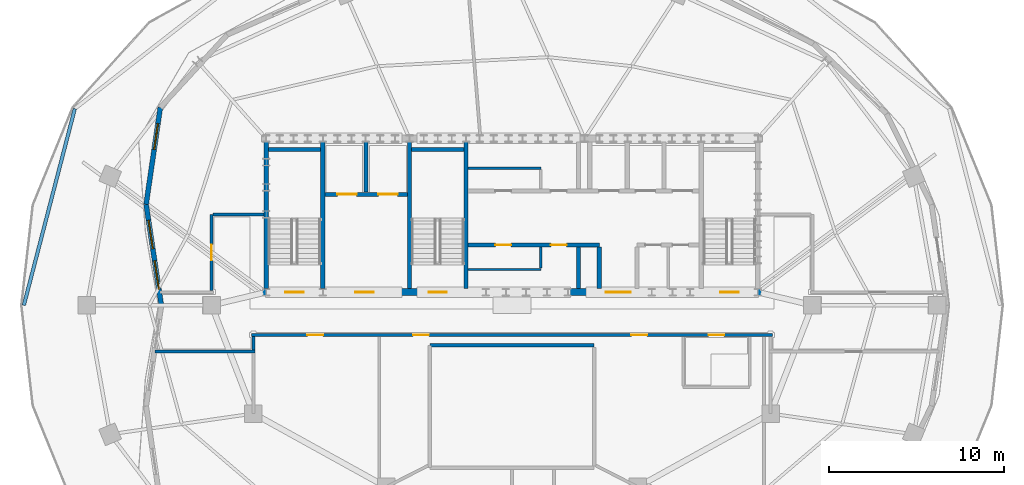
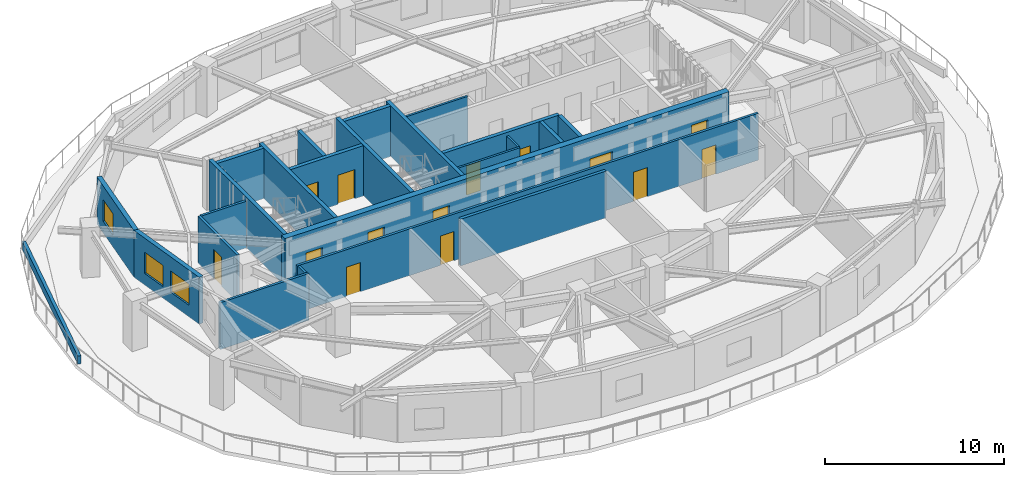
# One storey, part 4 of 10: 24 walls, 14 doors, 3 windows, 17 openings.
"""IFC4 building model written with IfcOpenShell, lengths in metres."""

from ifc_helpers import new_model, si_unit, direction, frame, frame_2d, origin, place, context, subcontext, project, spatial, rectangle, extrude, material, layer, layer_set, type_object, element, fill, save


model = new_model("IFC4")

# Units and contexts
model_context = context("Model", 3, precision=1e-05, world=origin(), true_north=direction((0.0, 1.0)))
body_context = subcontext(model_context, "Body", "Model", "MODEL_VIEW")
ifc_project = project(units=[si_unit("LENGTHUNIT", "METRE"), si_unit("AREAUNIT", "SQUARE_METRE"), si_unit("VOLUMEUNIT", "CUBIC_METRE"), si_unit("PLANEANGLEUNIT", "RADIAN"), si_unit("MASSUNIT", "GRAM", prefix="KILO")], contexts=[model_context])

# Site, building, storey
site_placement = place(None, origin())
site = spatial("IfcSite", under=ifc_project, at=site_placement, CompositionType="ELEMENT")
building_placement = place(site_placement, origin())
building = spatial("IfcBuilding", under=site, at=building_placement, Name="Haldorwick Loom Tower", CompositionType="ELEMENT")
storey_placement = place(building_placement, frame((0.0, 0.0, 240.89990234375)))
storey = spatial("IfcBuildingStorey", under=building, at=storey_placement, Name="L65", CompositionType="ELEMENT", Elevation=240.89990234375)

# Wall, opening, window
ifc_material_1 = material(Name="Pressed Clay Face Brick and Insulated Masonry Backup Assembly", Category="masonry")
ifc_layer_1 = layer(ifc_material_1, 0.280029296875, Name="Pressed Clay Face Brick and Insulated Masonry Backup Assembly", Category="masonry")
ifc_layer_set_1 = layer_set([ifc_layer_1], Name="Pressed Clay Face Brick and Insulated Masonry Backup Assembly")
wall_type_1 = type_object("IfcWallType", Name="ARC-WL-EXT280", PredefinedType="STANDARD", material=ifc_layer_set_1)
wall_1_placement = place(storey_placement, frame((15.86669921875, 37.326904296875, 0.0), z_axis=(0.0, 0.0, 1.0), x_axis=(-0.144901068492, -0.989446148282, 0.0)))
wall_1 = element("IfcWall", 1, at=wall_1_placement, inside=storey, type_object=wall_type_1, Name="L65 Brick Pier and Spandrel Wall 11", PredefinedType="STANDARD", context=body_context, shape_type="SweptSolid", body=[
    extrude(rectangle(XDim=5.607177734375, YDim=0.280029296875, at=frame_2d((2.8037109375, 0.0))), origin(), (0.0, 0.0, 1.0), 3.210205078125),
])
opening_1_placement = place(wall_1_placement, frame((0.93212890625, 0.0, 0.800048828125)))
opening_1 = element("IfcOpeningElement", 2, at=opening_1_placement, cuts=wall_1, Name="Opening W-02", PredefinedType="OPENING", context=body_context, shape_type="SweptSolid", body=[
    extrude(rectangle(XDim=1.5, YDim=1.47998046875, at=frame_2d((0.75, 0.739990234375))), frame((0.0, 0.14990234375, 0.0), z_axis=(0.0, -1.0, 0.0), x_axis=(1.0, 0.0, 0.0)), (0.0, 0.0, 1.0), 0.300048828125),
])
ifc_material_2 = material(Name="Triple-Glazed Low-E Argon Insulated Glazing Unit", Category="glass")
window_type_1 = type_object("IfcWindowType", Name="ARC-WIN-W150", PartitioningType="SINGLE_PANEL", PredefinedType="WINDOW", material=ifc_material_2)
window_1_placement = place(opening_1_placement, origin())
window_1 = element("IfcWindow", 3, at=window_1_placement, inside=storey, type_object=window_type_1, Name="L65 Deep-Set Zone 7A Window 11", OverallHeight=1.47998046875, OverallWidth=1.5, PartitioningType="SINGLE_PANEL", PredefinedType="WINDOW", context=body_context, shape_type="SweptSolid", body=[
    extrude(rectangle(XDim=1.5, YDim=1.47998046875, at=frame_2d((0.75, 0.739990234375))), frame((0.0, 0.030029296875, 0.0), z_axis=(0.0, -1.0, 0.0), x_axis=(1.0, 0.0, 0.0)), (0.0, 0.0, 1.0), 0.06005859375),
])
fill(opening_1, window_1)

# Wall, openings, windows
wall_2_placement = place(storey_placement, frame((15.05419921875, 31.77880859375, 0.0), z_axis=(0.0, 0.0, 1.0), x_axis=(0.148687742187, -0.988884197125, 0.0)))
wall_2 = element("IfcWall", 4, at=wall_2_placement, inside=storey, type_object=wall_type_1, Name="L65 Brick Pier and Spandrel Wall 12", PredefinedType="STANDARD", context=body_context, shape_type="SweptSolid", body=[
    extrude(rectangle(XDim=5.84375, YDim=0.280029296875, at=frame_2d((2.921875, 0.0))), origin(), (0.0, 0.0, 1.0), 3.210205078125),
])
opening_2_placement = place(wall_2_placement, frame((0.92822265625, 0.0, 0.800048828125)))
opening_2 = element("IfcOpeningElement", 5, at=opening_2_placement, cuts=wall_2, Name="Opening W-01B", PredefinedType="OPENING", context=body_context, shape_type="SweptSolid", body=[
    extrude(rectangle(XDim=1.64990234375, YDim=1.449951171875, at=frame_2d((0.824951171875, 0.72509765625))), frame((0.0, 0.14990234375, 0.0), z_axis=(0.0, -1.0, 0.0), x_axis=(1.0, 0.0, 0.0)), (0.0, 0.0, 1.0), 0.300048828125),
])
opening_3_placement = place(wall_2_placement, frame((3.265625, 0.0, 0.800048828125)))
opening_3 = element("IfcOpeningElement", 6, at=opening_3_placement, cuts=wall_2, Name="Opening W-01B", PredefinedType="OPENING", context=body_context, shape_type="SweptSolid", body=[
    extrude(rectangle(XDim=1.64990234375, YDim=1.449951171875, at=frame_2d((0.824951171875, 0.72509765625))), frame((0.0, 0.14990234375, 0.0), z_axis=(0.0, -1.0, 0.0), x_axis=(1.0, 0.0, 0.0)), (0.0, 0.0, 1.0), 0.300048828125),
])
window_type_2 = type_object("IfcWindowType", Name="ARC-WIN-W165", PartitioningType="SINGLE_PANEL", PredefinedType="WINDOW", material=ifc_material_2)
window_2_placement = place(opening_2_placement, origin())
window_2 = element("IfcWindow", 7, at=window_2_placement, inside=storey, type_object=window_type_2, Name="L65 Deep-Set Zone 7A Window 12", OverallHeight=1.449951171875, OverallWidth=1.64990234375, PartitioningType="SINGLE_PANEL", PredefinedType="WINDOW", context=body_context, shape_type="SweptSolid", body=[
    extrude(rectangle(XDim=1.64990234375, YDim=1.449951171875, at=frame_2d((0.824951171875, 0.72509765625))), frame((0.0, 0.030029296875, 0.0), z_axis=(0.0, -1.0, 0.0), x_axis=(1.0, 0.0, 0.0)), (0.0, 0.0, 1.0), 0.06005859375),
])
fill(opening_2, window_2)
window_3_placement = place(opening_3_placement, origin())
window_3 = element("IfcWindow", 8, at=window_3_placement, inside=storey, type_object=window_type_2, Name="L65 Deep-Set Zone 7A Window 12", OverallHeight=1.449951171875, OverallWidth=1.64990234375, PartitioningType="SINGLE_PANEL", PredefinedType="WINDOW", context=body_context, shape_type="SweptSolid", body=[
    extrude(rectangle(XDim=1.64990234375, YDim=1.449951171875, at=frame_2d((0.824951171875, 0.72509765625))), frame((0.0, 0.030029296875, 0.0), z_axis=(0.0, -1.0, 0.0), x_axis=(1.0, 0.0, 0.0)), (0.0, 0.0, 1.0), 0.06005859375),
])
fill(opening_3, window_3)

# Wall, openings, doors
ifc_material_3 = material(Name="Fire-Rated Type X Gypsum Stud Assembly EI 60")
ifc_layer_2 = layer(ifc_material_3, 0.159912109375, Name="Fire-Rated Type X Gypsum Stud Assembly EI 60")
ifc_layer_set_2 = layer_set([ifc_layer_2], Name="Fire-Rated Type X Gypsum Stud Assembly EI 60")
wall_type_2 = type_object("IfcWallType", Name="ARC-WL-FIRE160", PredefinedType="PARTITIONING", material=ifc_layer_set_2)
wall_3_placement = place(storey_placement, frame((21.10009765625, 24.300048828125, 0.0), z_axis=(0.0, 0.0, 1.0), x_axis=(1.0, 0.0, 0.0)))
wall_3 = element("IfcWall", 9, at=wall_3_placement, inside=storey, type_object=wall_type_2, Name="L65 Residential Fire Partition L65-CR-SP", PredefinedType="PARTITIONING", context=body_context, shape_type="SweptSolid", body=[
    extrude(rectangle(XDim=29.7998046875, YDim=0.159912109375, at=frame_2d((14.89990234375, 0.0))), origin(), (0.0, 0.0, 1.0), 3.195068359375),
])
opening_4_placement = place(wall_3_placement, frame((21.734375, 0.0, 0.0)))
opening_4 = element("IfcOpeningElement", 10, at=opening_4_placement, cuts=wall_3, Name="Opening D-FD60A", PredefinedType="OPENING", context=body_context, shape_type="SweptSolid", body=[
    extrude(rectangle(XDim=0.89990234375, YDim=2.0, at=frame_2d((0.449951171875, 1.0))), frame((0.0, 0.08984375, 0.0), z_axis=(0.0, -1.0, 0.0), x_axis=(1.0, 0.0, 0.0)), (0.0, 0.0, 1.0), 0.179931640625),
])
opening_5_placement = place(wall_3_placement, frame((9.240478515625, 0.0, 0.0)))
opening_5 = element("IfcOpeningElement", 11, at=opening_5_placement, cuts=wall_3, Name="Opening D-FD60A", PredefinedType="OPENING", context=body_context, shape_type="SweptSolid", body=[
    extrude(rectangle(XDim=0.89990234375, YDim=2.0, at=frame_2d((0.449951171875, 1.0))), frame((0.0, 0.08984375, 0.0), z_axis=(0.0, -1.0, 0.0), x_axis=(1.0, 0.0, 0.0)), (0.0, 0.0, 1.0), 0.179931640625),
])
opening_6_placement = place(wall_3_placement, frame((3.192138671875, 0.0, 0.0)))
opening_6 = element("IfcOpeningElement", 12, at=opening_6_placement, cuts=wall_3, Name="Opening D-FD60A", PredefinedType="OPENING", context=body_context, shape_type="SweptSolid", body=[
    extrude(rectangle(XDim=0.89990234375, YDim=2.0, at=frame_2d((0.449951171875, 1.0))), frame((0.0, 0.08984375, 0.0), z_axis=(0.0, -1.0, 0.0), x_axis=(1.0, 0.0, 0.0)), (0.0, 0.0, 1.0), 0.179931640625),
])
opening_7_placement = place(wall_3_placement, frame((26.1494140625, 0.0, 0.0)))
opening_7 = element("IfcOpeningElement", 13, at=opening_7_placement, cuts=wall_3, Name="Opening D-FD60A", PredefinedType="OPENING", context=body_context, shape_type="SweptSolid", body=[
    extrude(rectangle(XDim=0.89990234375, YDim=2.0, at=frame_2d((0.449951171875, 1.0))), frame((0.0, 0.08984375, 0.0), z_axis=(0.0, -1.0, 0.0), x_axis=(1.0, 0.0, 0.0)), (0.0, 0.0, 1.0), 0.179931640625),
])
ifc_material_4 = material(Name="Hollow Steel Fire Door Assembly", Category="steel")
door_type_1 = type_object("IfcDoorType", Name="ARC-DR-FD60-90", OperationType="NOTDEFINED", PredefinedType="DOOR", material=ifc_material_4)
door_1_placement = place(opening_4_placement, origin())
door_1 = element("IfcDoor", 14, at=door_1_placement, inside=storey, type_object=door_type_1, Name="L65 L65 Central Residential Corridor to Community Teaching Classroom 5 D", OperationType="SINGLE_SWING_LEFT", OverallHeight=2.0, OverallWidth=0.89990234375, PredefinedType="DOOR", context=body_context, shape_type="SweptSolid", body=[
    extrude(rectangle(XDim=0.89990234375, YDim=2.0, at=frame_2d((0.449951171875, 1.0))), frame((0.0, 0.02490234375, 0.0), z_axis=(0.0, -1.0, 0.0), x_axis=(1.0, 0.0, 0.0)), (0.0, 0.0, 1.0), 0.050048828125),
])
fill(opening_4, door_1)
door_2_placement = place(opening_5_placement, origin())
door_2 = element("IfcDoor", 15, at=door_2_placement, inside=storey, type_object=door_type_1, Name="L65 L65 Central Residential Corridor to Community Teaching Classroom 1 D", OperationType="SINGLE_SWING_RIGHT", OverallHeight=2.0, OverallWidth=0.89990234375, PredefinedType="DOOR", context=body_context, shape_type="SweptSolid", body=[
    extrude(rectangle(XDim=0.89990234375, YDim=2.0, at=frame_2d((0.449951171875, 1.0))), frame((0.0, 0.02490234375, 0.0), z_axis=(0.0, -1.0, 0.0), x_axis=(1.0, 0.0, 0.0)), (0.0, 0.0, 1.0), 0.050048828125),
])
fill(opening_5, door_2)
door_3_placement = place(opening_6_placement, origin())
door_3 = element("IfcDoor", 16, at=door_3_placement, inside=storey, type_object=door_type_1, Name="L65 L65 Central Residential Corridor to Community Teaching Classroom 2 D", OperationType="SINGLE_SWING_LEFT", OverallHeight=2.0, OverallWidth=0.89990234375, PredefinedType="DOOR", context=body_context, shape_type="SweptSolid", body=[
    extrude(rectangle(XDim=0.89990234375, YDim=2.0, at=frame_2d((0.449951171875, 1.0))), frame((0.0, 0.02490234375, 0.0), z_axis=(0.0, -1.0, 0.0), x_axis=(1.0, 0.0, 0.0)), (0.0, 0.0, 1.0), 0.050048828125),
])
fill(opening_6, door_3)
door_4_placement = place(opening_7_placement, origin())
door_4 = element("IfcDoor", 17, at=door_4_placement, inside=storey, type_object=door_type_1, Name="L65 L65 Central Residential Corridor to Common Accessible WC Door", OperationType="SINGLE_SWING_LEFT", OverallHeight=2.0, OverallWidth=0.89990234375, PredefinedType="DOOR", context=body_context, shape_type="SweptSolid", body=[
    extrude(rectangle(XDim=0.89990234375, YDim=2.0, at=frame_2d((0.449951171875, 1.0))), frame((0.0, 0.02490234375, 0.0), z_axis=(0.0, -1.0, 0.0), x_axis=(1.0, 0.0, 0.0)), (0.0, 0.0, 1.0), 0.050048828125),
])
fill(opening_7, door_4)

# Walls
wall_4_placement = place(storey_placement, frame((15.5703125, 23.35009765625, 0.0), z_axis=(0.0, 0.0, 1.0), x_axis=(1.0, 0.0, 0.0)))
element("IfcWall", 18, at=wall_4_placement, inside=storey, type_object=wall_type_2, Name="L65 Residential Fire Partition L65-CR-SPW", PredefinedType="PARTITIONING", context=body_context, shape_type="SweptSolid", body=[
    extrude(rectangle(XDim=5.729736328125, YDim=0.159912109375, at=frame_2d((2.86474609375, 0.0))), origin(), (0.0, 0.0, 1.0), 3.195068359375),
])
wall_5_placement = place(storey_placement, frame((21.199951171875, 23.43310546875, 0.0), z_axis=(0.0, 0.0, 1.0), x_axis=(0.0, 1.0, 0.0)))
element("IfcWall", 19, at=wall_5_placement, inside=storey, type_object=wall_type_2, Name="L65 Residential Fire Partition L65-CR-STW", PredefinedType="PARTITIONING", context=body_context, shape_type="SweptSolid", body=[
    extrude(rectangle(XDim=0.783935546875, YDim=0.159912109375, at=frame_2d((0.39208984375, 0.0))), origin(), (0.0, 0.0, 1.0), 3.195068359375),
])

# Wall, opening, door
wall_6_placement = place(storey_placement, frame((18.800048828125, 26.8330078125, 0.0), z_axis=(0.0, 0.0, 1.0), x_axis=(0.0, 1.0, 0.0)))
wall_6 = element("IfcWall", 20, at=wall_6_placement, inside=storey, type_object=wall_type_2, Name="L65 Residential Fire Partition L65-CR-W0", PredefinedType="PARTITIONING", context=body_context, shape_type="SweptSolid", body=[
    extrude(rectangle(XDim=4.366943359375, YDim=0.159912109375, at=frame_2d((2.18359375, 0.0))), origin(), (0.0, 0.0, 1.0), 3.195068359375),
])
opening_8_placement = place(wall_6_placement, frame((1.7333984375, 0.0, 0.0)))
opening_8 = element("IfcOpeningElement", 21, at=opening_8_placement, cuts=wall_6, Name="Opening D-FD60A", PredefinedType="OPENING", context=body_context, shape_type="SweptSolid", body=[
    extrude(rectangle(XDim=0.89990234375, YDim=2.0, at=frame_2d((0.449951171875, 1.0))), frame((0.0, 0.08984375, 0.0), z_axis=(0.0, -1.0, 0.0), x_axis=(1.0, 0.0, 0.0)), (0.0, 0.0, 1.0), 0.179931640625),
])
door_5_placement = place(opening_8_placement, frame((0.89990234375, 0.0, 0.0), z_axis=(0.0, 0.0, 1.0), x_axis=(-1.0, 0.0, 0.0)))
door_5 = element("IfcDoor", 22, at=door_5_placement, inside=storey, type_object=door_type_1, Name="L65 Community Teaching Classroom 4 to L65 Central Residential Corridor D", OperationType="SINGLE_SWING_RIGHT", OverallHeight=2.0, OverallWidth=0.89990234375, PredefinedType="DOOR", context=body_context, shape_type="SweptSolid", body=[
    extrude(rectangle(XDim=0.89990234375, YDim=2.0, at=frame_2d((0.449951171875, 1.0))), frame((0.0, 0.02490234375, 0.0), z_axis=(0.0, -1.0, 0.0), x_axis=(1.0, 0.0, 0.0)), (0.0, 0.0, 1.0), 0.050048828125),
])
fill(opening_8, door_5)

# Walls
wall_7_placement = place(storey_placement, frame((18.883056640625, 31.199951171875, 0.0), z_axis=(0.0, 0.0, 1.0), x_axis=(1.0, 0.0, 0.0)))
element("IfcWall", 23, at=wall_7_placement, inside=storey, type_object=wall_type_2, Name="L65 Residential Fire Partition L65-CR-WNJ", PredefinedType="PARTITIONING", context=body_context, shape_type="SweptSolid", body=[
    extrude(rectangle(XDim=2.923828125, YDim=0.159912109375, at=frame_2d((1.4619140625, 0.0))), origin(), (0.0, 0.0, 1.0), 3.195068359375),
])
ifc_material_5 = material(Name="Fire-Rated Type X Gypsum Stud Assembly EI 120")
ifc_layer_3 = layer(ifc_material_5, 0.199951171875, Name="Fire-Rated Type X Gypsum Stud Assembly EI 120")
ifc_layer_set_3 = layer_set([ifc_layer_3], Name="Fire-Rated Type X Gypsum Stud Assembly EI 120")
wall_type_3 = type_object("IfcWallType", Name="ARC-WL-FIRE200", PredefinedType="PARTITIONING", material=ifc_layer_set_3)
wall_8_placement = place(storey_placement, frame((31.300048828125, 23.699951171875, 0.0), z_axis=(0.0, 0.0, 1.0), x_axis=(1.0, 0.0, 0.0)))
element("IfcWall", 24, at=wall_8_placement, inside=storey, type_object=wall_type_3, Name="L65 Atrium Fire Enclosure Wall N", PredefinedType="PARTITIONING", context=body_context, shape_type="SweptSolid", body=[
    extrude(rectangle(XDim=9.39990234375, YDim=0.199951171875, at=frame_2d((4.699951171875, 0.0))), origin(), (0.0, 0.0, 1.0), 3.195068359375),
])
ifc_layer_4 = layer(ifc_material_1, 0.199951171875, Name="Pressed Clay Face Brick and Insulated Masonry Backup Assembly", Category="masonry")
ifc_layer_set_4 = layer_set([ifc_layer_4], Name="Pressed Clay Face Brick and Insulated Masonry Backup Assembly")
wall_type_4 = type_object("IfcWallType", Name="ARC-WL-PARAPET200", PredefinedType="PARAPET", material=ifc_layer_set_4)
wall_9_placement = place(storey_placement, frame((8.05517578125, 26.0, 0.0), z_axis=(0.0, 0.0, 1.0), x_axis=(0.250979647421, 0.967992363906, 0.0)))
element("IfcWall", 25, at=wall_9_placement, inside=storey, type_object=wall_type_4, Name="L65 Terrace Masonry Parapet 1", PredefinedType="PARAPET", context=body_context, shape_type="SweptSolid", body=[
    extrude(rectangle(XDim=11.627197265625, YDim=0.199951171875, at=frame_2d((5.8134765625, 0.0))), origin(), (0.0, 0.0, 1.0), 0.550048828125),
])
ifc_layer_5 = layer(ifc_material_3, 0.139892578125, Name="Fire-Rated Type X Gypsum Stud Assembly EI 60")
ifc_layer_set_5 = layer_set([ifc_layer_5], Name="Fire-Rated Type X Gypsum Stud Assembly EI 60")
wall_type_5 = type_object("IfcWallType", Name="ARC-WL-PART140", PredefinedType="PARTITIONING", material=ifc_layer_set_5)
for number, where, z_axis, x_axis, name in (
    (26, (33.492919921875, 33.85009765625, 0.0), (0.0, 0.0, 1.0), (1.0, 0.0, 0.0), "L65 Storage South Partition"),
    (27, (33.492919921875, 28.050048828125, 0.0), (0.0, 0.0, 1.0), (1.0, 0.0, 0.0), "L65 Mid-Bank North Partition"),
):
    element("IfcWall", number, at=place(storey_placement, frame(where, z_axis=z_axis, x_axis=x_axis)), inside=storey, type_object=wall_type_5, Name=name, PredefinedType="PARTITIONING", context=body_context, shape_type="SweptSolid", body=[
        extrude(rectangle(XDim=4.156982421875, YDim=0.139892578125, at=frame_2d((2.07861328125, 0.0))), origin(), (0.0, 0.0, 1.0), 3.195068359375),
    ])
wall_10_placement = place(storey_placement, frame((37.64990234375, 28.123046875, 0.0), z_axis=(0.0, 0.0, 1.0), x_axis=(0.0, 1.0, 0.0)))
element("IfcWall", 28, at=wall_10_placement, inside=storey, type_object=wall_type_5, Name="L65 Mid-Bank East Partition", PredefinedType="PARTITIONING", context=body_context, shape_type="SweptSolid", body=[
    extrude(rectangle(XDim=1.203857421875, YDim=0.139892578125, at=frame_2d((0.60205078125, 0.0))), origin(), (0.0, 0.0, 1.0), 3.195068359375),
])

# Wall, openings, doors
ifc_material_6 = material(Name="Concrete C50 (50 MPa)", Category="concrete")
ifc_layer_6 = layer(ifc_material_6, 0.39990234375, Name="Concrete C50 (50 MPa)", Category="concrete")
ifc_layer_set_6 = layer_set([ifc_layer_6], Name="Concrete C50 (50 MPa)")
wall_type_6 = type_object("IfcWallType", Name="STR-WL-CORE400", PredefinedType="SHEAR", material=ifc_layer_set_6)
wall_11_placement = place(storey_placement, frame((21.64990234375, 26.75, 0.0), z_axis=(0.0, 0.0, 1.0), x_axis=(1.0, 0.0, 0.0)))
wall_11 = element("IfcWall", 29, at=wall_11_placement, inside=storey, type_object=wall_type_6, Name="L65 Core Shear Wall S", PredefinedType="SHEAR", context=body_context, shape_type="SweptSolid", body=[
    extrude(rectangle(XDim=28.7001953125, YDim=0.39990234375, at=frame_2d((14.35009765625, 0.0))), origin(), (0.0, 0.0, 1.0), 3.4501953125),
])
opening_9_placement = place(wall_11_placement, frame((1.375, 0.0, 0.0)))
opening_9 = element("IfcOpeningElement", 30, at=opening_9_placement, cuts=wall_11, Name="Opening D-FD60", PredefinedType="OPENING", context=body_context, shape_type="SweptSolid", body=[
    extrude(rectangle(XDim=1.050048828125, YDim=2.0, at=frame_2d((0.52490234375, 1.0))), frame((0.0, 0.2099609375, 0.0), z_axis=(0.0, -1.0, 0.0), x_axis=(1.0, 0.0, 0.0)), (0.0, 0.0, 1.0), 0.419921875),
])
opening_10_placement = place(wall_11_placement, frame((5.375, 0.0, 0.0)))
opening_10 = element("IfcOpeningElement", 31, at=opening_10_placement, cuts=wall_11, Name="Opening D-FD60", PredefinedType="OPENING", context=body_context, shape_type="SweptSolid", body=[
    extrude(rectangle(XDim=1.050048828125, YDim=2.0, at=frame_2d((0.52490234375, 1.0))), frame((0.0, 0.2099609375, 0.0), z_axis=(0.0, -1.0, 0.0), x_axis=(1.0, 0.0, 0.0)), (0.0, 0.0, 1.0), 0.419921875),
])
opening_11_placement = place(wall_11_placement, frame((9.574951171875, 0.0, 0.0)))
opening_11 = element("IfcOpeningElement", 32, at=opening_11_placement, cuts=wall_11, Name="Opening D-FD60", PredefinedType="OPENING", context=body_context, shape_type="SweptSolid", body=[
    extrude(rectangle(XDim=1.050048828125, YDim=2.0, at=frame_2d((0.52490234375, 1.0))), frame((0.0, 0.2099609375, 0.0), z_axis=(0.0, -1.0, 0.0), x_axis=(1.0, 0.0, 0.0)), (0.0, 0.0, 1.0), 0.419921875),
])
opening_12_placement = place(wall_11_placement, frame((19.705078125, 0.0, 0.0)))
opening_12 = element("IfcOpeningElement", 33, at=opening_12_placement, cuts=wall_11, Name="Opening D-LB15", PredefinedType="OPENING", context=body_context, shape_type="SweptSolid", body=[
    extrude(rectangle(XDim=1.449951171875, YDim=2.0, at=frame_2d((0.72509765625, 1.0))), frame((0.0, 0.2099609375, 0.0), z_axis=(0.0, -1.0, 0.0), x_axis=(1.0, 0.0, 0.0)), (0.0, 0.0, 1.0), 0.419921875),
])
opening_13_placement = place(wall_11_placement, frame((26.27490234375, 0.0, 0.0)))
opening_13 = element("IfcOpeningElement", 34, at=opening_13_placement, cuts=wall_11, Name="Opening D-FD60", PredefinedType="OPENING", context=body_context, shape_type="SweptSolid", body=[
    extrude(rectangle(XDim=1.050048828125, YDim=2.0, at=frame_2d((0.52490234375, 1.0))), frame((0.0, 0.2099609375, 0.0), z_axis=(0.0, -1.0, 0.0), x_axis=(1.0, 0.0, 0.0)), (0.0, 0.0, 1.0), 0.419921875),
])
door_type_2 = type_object("IfcDoorType", Name="ARC-DR-FD60", OperationType="NOTDEFINED", PredefinedType="DOOR", material=ifc_material_4)
door_6_placement = place(opening_9_placement, origin())
door_6 = element("IfcDoor", 35, at=door_6_placement, inside=storey, type_object=door_type_2, Name="L65 Exit Stair ST-01 Fire Door", OperationType="SINGLE_SWING_LEFT", OverallHeight=2.0, OverallWidth=1.050048828125, PredefinedType="DOOR", context=body_context, shape_type="SweptSolid", body=[
    extrude(rectangle(XDim=1.050048828125, YDim=2.0, at=frame_2d((0.52490234375, 1.0))), frame((0.0, 0.02490234375, 0.0), z_axis=(0.0, -1.0, 0.0), x_axis=(1.0, 0.0, 0.0)), (0.0, 0.0, 1.0), 0.050048828125),
])
fill(opening_9, door_6)
door_7_placement = place(opening_10_placement, origin())
door_7 = element("IfcDoor", 36, at=door_7_placement, inside=storey, type_object=door_type_2, Name="L65 Firefighting Lift Lobby Fire Door", OperationType="SINGLE_SWING_RIGHT", OverallHeight=2.0, OverallWidth=1.050048828125, PredefinedType="DOOR", context=body_context, shape_type="SweptSolid", body=[
    extrude(rectangle(XDim=1.050048828125, YDim=2.0, at=frame_2d((0.52490234375, 1.0))), frame((0.0, 0.02490234375, 0.0), z_axis=(0.0, -1.0, 0.0), x_axis=(1.0, 0.0, 0.0)), (0.0, 0.0, 1.0), 0.050048828125),
])
fill(opening_10, door_7)
door_8_placement = place(opening_11_placement, origin())
door_8 = element("IfcDoor", 37, at=door_8_placement, inside=storey, type_object=door_type_2, Name="L65 Exit Stair ST-03 Fire Door", OperationType="SINGLE_SWING_LEFT", OverallHeight=2.0, OverallWidth=1.050048828125, PredefinedType="DOOR", context=body_context, shape_type="SweptSolid", body=[
    extrude(rectangle(XDim=1.050048828125, YDim=2.0, at=frame_2d((0.52490234375, 1.0))), frame((0.0, 0.02490234375, 0.0), z_axis=(0.0, -1.0, 0.0), x_axis=(1.0, 0.0, 0.0)), (0.0, 0.0, 1.0), 0.050048828125),
])
fill(opening_11, door_8)
door_9_placement = place(opening_13_placement, origin())
door_9 = element("IfcDoor", 38, at=door_9_placement, inside=storey, type_object=door_type_2, Name="L65 Exit Stair ST-02 Fire Door", OperationType="SINGLE_SWING_LEFT", OverallHeight=2.0, OverallWidth=1.050048828125, PredefinedType="DOOR", context=body_context, shape_type="SweptSolid", body=[
    extrude(rectangle(XDim=1.050048828125, YDim=2.0, at=frame_2d((0.52490234375, 1.0))), frame((0.0, 0.02490234375, 0.0), z_axis=(0.0, -1.0, 0.0), x_axis=(1.0, 0.0, 0.0)), (0.0, 0.0, 1.0), 0.050048828125),
])
fill(opening_13, door_9)
ifc_material_7 = material(Name="Thermally Broken Anodized Aluminium and Tempered Glass", Category="aluminium")
door_type_3 = type_object("IfcDoorType", Name="ARC-DR-LOB150", OperationType="NOTDEFINED", PredefinedType="DOOR", material=ifc_material_7)
door_10_placement = place(opening_12_placement, frame((1.449951171875, 0.0, 0.0), z_axis=(0.0, 0.0, 1.0), x_axis=(-1.0, 0.0, 0.0)))
door_10 = element("IfcDoor", 39, at=door_10_placement, inside=storey, type_object=door_type_3, Name="L65 Passenger Lift Lobby Fire Door", OperationType="DOUBLE_DOOR_SINGLE_SWING", OverallHeight=2.0, OverallWidth=1.449951171875, PredefinedType="DOOR", context=body_context, shape_type="SweptSolid", body=[
    extrude(rectangle(XDim=1.449951171875, YDim=2.0, at=frame_2d((0.72509765625, 1.0))), frame((0.0, 0.02490234375, 0.0), z_axis=(0.0, -1.0, 0.0), x_axis=(1.0, 0.0, 0.0)), (0.0, 0.0, 1.0), 0.050048828125),
])
fill(opening_12, door_10)

# Walls
ifc_layer_7 = layer(ifc_material_6, 0.239990234375, Name="Concrete C50 (50 MPa)", Category="concrete")
ifc_layer_set_7 = layer_set([ifc_layer_7], Name="Concrete C50 (50 MPa)")
wall_type_7 = type_object("IfcWallType", Name="STR-WL-SHAFT240", PredefinedType="SHEAR", material=ifc_layer_set_7)
for number, where, z_axis, x_axis, name in (
    (40, (21.929931640625, 35.346923828125, 0.0), (0.0, 0.0, 1.0), (0.0, -1.0, 0.0), "L65 Core Shear Wall W"),
    (41, (25.169921875, 26.952880859375, 0.0), (0.0, 0.0, 1.0), (0.0, 1.0, 0.0), "L65 Core Shear Wall 1"),
):
    element("IfcWall", number, at=place(storey_placement, frame(where, z_axis=z_axis, x_axis=x_axis)), inside=storey, type_object=wall_type_7, Name=name, PredefinedType="SHEAR", context=body_context, shape_type="SweptSolid", body=[
        extrude(rectangle(XDim=8.39404296875, YDim=0.239990234375, at=frame_2d((4.197021484375, 0.0))), origin(), (0.0, 0.0, 1.0), 3.4501953125),
    ])
wall_12_placement = place(storey_placement, frame((22.052978515625, 34.919921875, 0.0), z_axis=(0.0, 0.0, 1.0), x_axis=(1.0, 0.0, 0.0)))
element("IfcWall", 42, at=wall_12_placement, inside=storey, type_object=wall_type_7, Name="L65 Core Shear Wall 1N", PredefinedType="SHEAR", context=body_context, shape_type="SweptSolid", body=[
    extrude(rectangle(XDim=2.994140625, YDim=0.239990234375, at=frame_2d((1.4970703125, 0.0))), origin(), (0.0, 0.0, 1.0), 3.4501953125),
])
for number, where, z_axis, x_axis, name in (
    (43, (30.1298828125, 26.952880859375, 0.0), (0.0, 0.0, 1.0), (0.0, 1.0, 0.0), "L65 Core Shear Wall 2"),
    (44, (33.3701171875, 26.952880859375, 0.0), (0.0, 0.0, 1.0), (0.0, 1.0, 0.0), "L65 Core Shear Wall 3"),
):
    element("IfcWall", number, at=place(storey_placement, frame(where, z_axis=z_axis, x_axis=x_axis)), inside=storey, type_object=wall_type_7, Name=name, PredefinedType="SHEAR", context=body_context, shape_type="SweptSolid", body=[
        extrude(rectangle(XDim=8.39404296875, YDim=0.239990234375, at=frame_2d((4.197021484375, 0.0))), origin(), (0.0, 0.0, 1.0), 3.4501953125),
    ])
wall_13_placement = place(storey_placement, frame((30.2529296875, 34.919921875, 0.0), z_axis=(0.0, 0.0, 1.0), x_axis=(1.0, 0.0, 0.0)))
element("IfcWall", 45, at=wall_13_placement, inside=storey, type_object=wall_type_7, Name="L65 Core Shear Wall 3N", PredefinedType="SHEAR", context=body_context, shape_type="SweptSolid", body=[
    extrude(rectangle(XDim=2.994140625, YDim=0.239990234375, at=frame_2d((1.4970703125, 0.0))), origin(), (0.0, 0.0, 1.0), 3.4501953125),
])

# Wall, openings, doors
wall_14_placement = place(storey_placement, frame((25.29296875, 32.35009765625, 0.0), z_axis=(0.0, 0.0, 1.0), x_axis=(1.0, 0.0, 0.0)))
wall_14 = element("IfcWall", 46, at=wall_14_placement, inside=storey, type_object=wall_type_7, Name="L65 Core Shear Wall FF", PredefinedType="SHEAR", context=body_context, shape_type="SweptSolid", body=[
    extrude(rectangle(XDim=4.714111328125, YDim=0.239990234375, at=frame_2d((2.35693359375, 0.0))), origin(), (0.0, 0.0, 1.0), 3.4501953125),
])
opening_14_placement = place(wall_14_placement, frame((0.70703125, 0.0, 0.0)))
opening_14 = element("IfcOpeningElement", 47, at=opening_14_placement, cuts=wall_14, Name="Opening LD-FF1", PredefinedType="OPENING", context=body_context, shape_type="SweptSolid", body=[
    extrude(rectangle(XDim=1.10009765625, YDim=2.0, at=frame_2d((0.550048828125, 1.0))), frame((0.0, 0.1298828125, 0.0), z_axis=(0.0, -1.0, 0.0), x_axis=(1.0, 0.0, 0.0)), (0.0, 0.0, 1.0), 0.260009765625),
])
opening_15_placement = place(wall_14_placement, frame((3.056884765625, 0.0, 0.0)))
opening_15 = element("IfcOpeningElement", 48, at=opening_15_placement, cuts=wall_14, Name="Opening LD-FF2", PredefinedType="OPENING", context=body_context, shape_type="SweptSolid", body=[
    extrude(rectangle(XDim=1.10009765625, YDim=2.0, at=frame_2d((0.550048828125, 1.0))), frame((0.0, 0.1298828125, 0.0), z_axis=(0.0, -1.0, 0.0), x_axis=(1.0, 0.0, 0.0)), (0.0, 0.0, 1.0), 0.260009765625),
])
door_type_4 = type_object("IfcDoorType", Name="ARC-DR-LD-FF", OperationType="NOTDEFINED", PredefinedType="USERDEFINED", material=ifc_material_4)
door_11_placement = place(opening_14_placement, origin())
door_11 = element("IfcDoor", 49, at=door_11_placement, inside=storey, type_object=door_type_4, Name="L65 Lift LF-FF1 Sliding Landing Door", ObjectType="LANDING DOOR", OperationType="DOUBLE_DOOR_SLIDING", OverallHeight=2.0, OverallWidth=1.10009765625, PredefinedType="USERDEFINED", context=body_context, shape_type="SweptSolid", body=[
    extrude(rectangle(XDim=1.10009765625, YDim=2.0, at=frame_2d((0.550048828125, 1.0))), frame((0.0, 0.02490234375, 0.0), z_axis=(0.0, -1.0, 0.0), x_axis=(1.0, 0.0, 0.0)), (0.0, 0.0, 1.0), 0.050048828125),
])
fill(opening_14, door_11)
door_12_placement = place(opening_15_placement, origin())
door_12 = element("IfcDoor", 50, at=door_12_placement, inside=storey, type_object=door_type_4, Name="L65 Lift LF-FF2 Sliding Landing Door", ObjectType="LANDING DOOR", OperationType="DOUBLE_DOOR_SLIDING", OverallHeight=2.0, OverallWidth=1.10009765625, PredefinedType="USERDEFINED", context=body_context, shape_type="SweptSolid", body=[
    extrude(rectangle(XDim=1.10009765625, YDim=2.0, at=frame_2d((0.550048828125, 1.0))), frame((0.0, 0.02490234375, 0.0), z_axis=(0.0, -1.0, 0.0), x_axis=(1.0, 0.0, 0.0)), (0.0, 0.0, 1.0), 0.050048828125),
])
fill(opening_15, door_12)

# Wall
wall_15_placement = place(storey_placement, frame((27.64990234375, 32.472900390625, 0.0), z_axis=(0.0, 0.0, 1.0), x_axis=(0.0, 1.0, 0.0)))
element("IfcWall", 51, at=wall_15_placement, inside=storey, type_object=wall_type_7, Name="L65 Core Shear Wall FFD", PredefinedType="SHEAR", context=body_context, shape_type="SweptSolid", body=[
    extrude(rectangle(XDim=2.8740234375, YDim=0.239990234375, at=frame_2d((1.43701171875, 0.0))), origin(), (0.0, 0.0, 1.0), 3.4501953125),
])

# Wall, openings, doors
wall_16_placement = place(storey_placement, frame((33.492919921875, 29.449951171875, 0.0), z_axis=(0.0, 0.0, 1.0), x_axis=(1.0, 0.0, 0.0)))
wall_16 = element("IfcWall", 52, at=wall_16_placement, inside=storey, type_object=wall_type_7, Name="L65 Core Shear Wall LS1", PredefinedType="SHEAR", context=body_context, shape_type="SweptSolid", body=[
    extrude(rectangle(XDim=7.507080078125, YDim=0.239990234375, at=frame_2d((3.75341796875, 0.0))), origin(), (0.0, 0.0, 1.0), 3.4501953125),
])
opening_16_placement = place(wall_16_placement, frame((1.556884765625, 0.0, 0.0)))
opening_16 = element("IfcOpeningElement", 53, at=opening_16_placement, cuts=wall_16, Name="Opening D-FD60A", PredefinedType="OPENING", context=body_context, shape_type="SweptSolid", body=[
    extrude(rectangle(XDim=0.89990234375, YDim=2.0, at=frame_2d((0.449951171875, 1.0))), frame((0.0, 0.1298828125, 0.0), z_axis=(0.0, -1.0, 0.0), x_axis=(1.0, 0.0, 0.0)), (0.0, 0.0, 1.0), 0.260009765625),
])
opening_17_placement = place(wall_16_placement, frame((4.737060546875, 0.0, 0.0)))
opening_17 = element("IfcOpeningElement", 54, at=opening_17_placement, cuts=wall_16, Name="Opening D-FD60A", PredefinedType="OPENING", context=body_context, shape_type="SweptSolid", body=[
    extrude(rectangle(XDim=0.89990234375, YDim=2.0, at=frame_2d((0.449951171875, 1.0))), frame((0.0, 0.1298828125, 0.0), z_axis=(0.0, -1.0, 0.0), x_axis=(1.0, 0.0, 0.0)), (0.0, 0.0, 1.0), 0.260009765625),
])
door_13_placement = place(opening_16_placement, origin())
door_13 = element("IfcDoor", 55, at=door_13_placement, inside=storey, type_object=door_type_1, Name="L65 Sky Storage Door", OperationType="SINGLE_SWING_LEFT", OverallHeight=2.0, OverallWidth=0.89990234375, PredefinedType="DOOR", context=body_context, shape_type="SweptSolid", body=[
    extrude(rectangle(XDim=0.89990234375, YDim=2.0, at=frame_2d((0.449951171875, 1.0))), frame((0.0, 0.02490234375, 0.0), z_axis=(0.0, -1.0, 0.0), x_axis=(1.0, 0.0, 0.0)), (0.0, 0.0, 1.0), 0.050048828125),
])
fill(opening_16, door_13)
door_14_placement = place(opening_17_placement, origin())
door_14 = element("IfcDoor", 56, at=door_14_placement, inside=storey, type_object=door_type_1, Name="L65 Communications Door", OperationType="SINGLE_SWING_RIGHT", OverallHeight=2.0, OverallWidth=0.89990234375, PredefinedType="DOOR", context=body_context, shape_type="SweptSolid", body=[
    extrude(rectangle(XDim=0.89990234375, YDim=2.0, at=frame_2d((0.449951171875, 1.0))), frame((0.0, 0.02490234375, 0.0), z_axis=(0.0, -1.0, 0.0), x_axis=(1.0, 0.0, 0.0)), (0.0, 0.0, 1.0), 0.050048828125),
])
fill(opening_17, door_14)

# Walls
for number, where, z_axis, x_axis, name in (
    (57, (41.0, 26.952880859375, 0.0), (0.0, 0.0, 1.0), (0.0, 1.0, 0.0), "L65 Core Shear Wall THW"),
    (58, (39.800048828125, 26.952880859375, 0.0), (0.0, 0.0, 1.0), (0.0, 1.0, 0.0), "L65 Core Shear Wall MRW"),
):
    element("IfcWall", number, at=place(storey_placement, frame(where, z_axis=z_axis, x_axis=x_axis)), inside=storey, type_object=wall_type_7, Name=name, PredefinedType="SHEAR", context=body_context, shape_type="SweptSolid", body=[
        extrude(rectangle(XDim=2.3740234375, YDim=0.239990234375, at=frame_2d((1.18701171875, 0.0))), origin(), (0.0, 0.0, 1.0), 3.4501953125),
    ])

save(model, "model.ifc")
